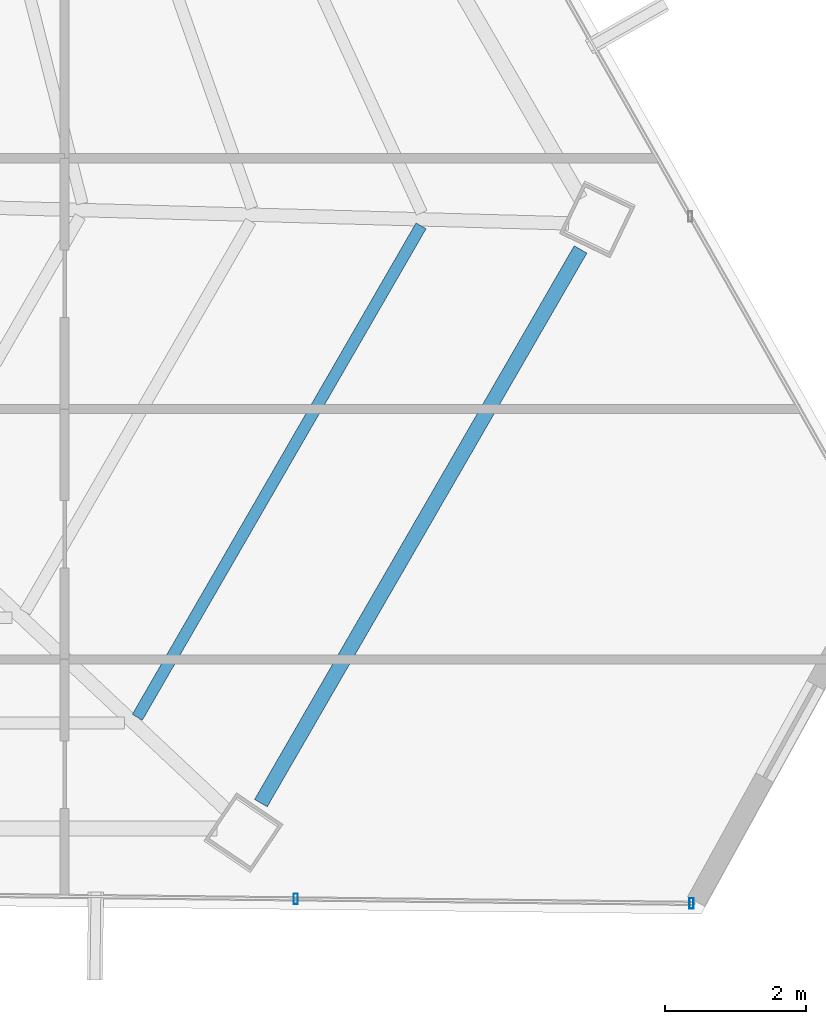
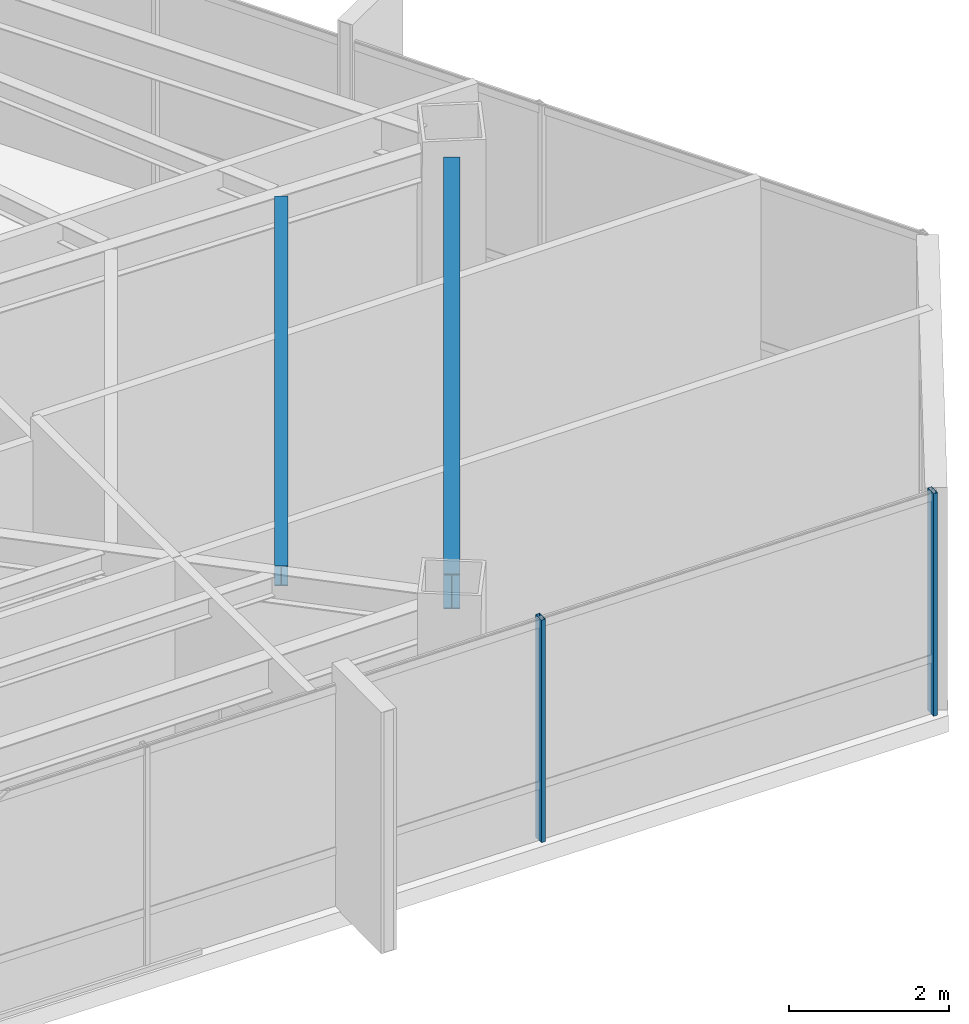
# One storey, part 20 of 42: 2 beams, 2 members, 1 element without a shape of its own.
"""IFC4 building model written with IfcOpenShell, lengths in metres."""

from ifc_helpers import new_model, si_unit, direction, frame, origin, origin_2d, place, context, subcontext, project, spatial, hollow_rectangle, i_section, extrude, source, transform, mapped, material, material_profile, profile_set, type_object, type_shapes, element, aggregate, save


model = new_model("IFC4")

# Units and contexts
model_context = context("Model", 3, precision=1e-05, world=origin(), true_north=direction((0.0, 1.0)))
body_context = subcontext(model_context, "Body", "Model", "MODEL_VIEW")
ifc_project = project(units=[si_unit("LENGTHUNIT", "METRE"), si_unit("AREAUNIT", "SQUARE_METRE"), si_unit("VOLUMEUNIT", "CUBIC_METRE"), si_unit("PLANEANGLEUNIT", "RADIAN"), si_unit("MASSUNIT", "GRAM", prefix="KILO")], contexts=[model_context])

# Site, building, storey
site_placement = place(None, origin())
site = spatial("IfcSite", under=ifc_project, at=site_placement, CompositionType="ELEMENT")
building_placement = place(site_placement, origin())
building = spatial("IfcBuilding", under=site, at=building_placement, Name="Caelisora Broadcast Tower", CompositionType="ELEMENT")
storey_placement = place(building_placement, frame((0.0, 0.0, 205.949951171875)))
storey = spatial("IfcBuildingStorey", under=building, at=storey_placement, Name="L54", CompositionType="ELEMENT", Elevation=205.949951171875)

# Beams
ifc_material_1 = material(Name="Steel Grade 350 (AS/NZS 3679.1)", Category="steel")
ifc_material_profile_1 = material_profile(ifc_material_1, i_section(OverallWidth=0.208984375, OverallDepth=0.532958984375, WebThickness=0.01025390625, FlangeThickness=0.015625, at=origin_2d()), Name="Steel Grade 350 (AS/NZS 3679.1)")
ifc_profile_set_1 = profile_set([ifc_material_profile_1], Name="Steel Grade 350 (AS/NZS 3679.1)")
beam_type_1 = type_object("IfcBeamType", Name="PG05", PredefinedType="BEAM", material=ifc_profile_set_1)
shared_shape_1 = source(origin(), body_context, "Body", "SweptSolid", [
    extrude(i_section(OverallWidth=0.208984375, OverallDepth=0.532958984375, WebThickness=0.01025390625, FlangeThickness=0.015625, at=origin_2d()), origin(), (0.0, 0.0, 1.0), 9.095947265625),
])
type_shapes(beam_type_1, [shared_shape_1])
beam_1_placement = place(storey_placement, frame((55.29150390625, 8.76513671875, 3.133544921875), z_axis=(0.500015974805, 0.86601618053, 0.0), x_axis=(-0.86601618053, 0.500015974805, 0.0)))
element("IfcBeam", 1, at=beam_1_placement, inside=storey, type_object=beam_type_1, Name="L54 beam PG05", PredefinedType="BEAM", context=body_context, shape_type="MappedRepresentation", body=[
    mapped(shared_shape_1, transform((0.0, 0.0, 0.0), scale=1.0)),
])
ifc_material_profile_2 = material_profile(ifc_material_1, i_section(OverallWidth=0.166015625, OverallDepth=0.30712890625, WebThickness=0.006591796875, FlangeThickness=0.01171875, at=origin_2d()), Name="Steel Grade 350 (AS/NZS 3679.1)")
ifc_profile_set_2 = profile_set([ifc_material_profile_2], Name="Steel Grade 350 (AS/NZS 3679.1)")
beam_type_2 = type_object("IfcBeamType", Name="SB03", PredefinedType="JOIST", material=ifc_profile_set_2)
shared_shape_2 = source(origin(), body_context, "Body", "SweptSolid", [
    extrude(i_section(OverallWidth=0.166015625, OverallDepth=0.30712890625, WebThickness=0.006591796875, FlangeThickness=0.01171875, at=origin_2d()), origin(), (0.0, 0.0, 1.0), 8.07275390625),
])
type_shapes(beam_type_2, [shared_shape_2])
beam_2_placement = place(storey_placement, frame((53.53369140625, 9.986328125, 3.246337890625), z_axis=(0.499999947638, 0.866025434015, 0.0), x_axis=(-0.866025434015, 0.499999947638, 0.0)))
element("IfcBeam", 2, at=beam_2_placement, inside=storey, type_object=beam_type_2, Name="L54 beam SB03", PredefinedType="JOIST", context=body_context, shape_type="MappedRepresentation", body=[
    mapped(shared_shape_2, transform((0.0, 0.0, 0.0), scale=1.0)),
])

# Curtain wall, members
ifc_material_2 = material(Name="Unitised Aluminium and Low-E Glass Curtain Wall", Category="glass")
curtain_wall_type = type_object("IfcCurtainWallType", Name="CW-Z4", PredefinedType="NOTDEFINED", material=ifc_material_2)
curtain_wall_placement = place(storey_placement, origin())
curtain_wall = element("IfcCurtainWall", 3, at=curtain_wall_placement, inside=storey, type_object=curtain_wall_type, Name="L54 curtain wall CW-Z4", PredefinedType="NOTDEFINED")
ifc_material_3 = material(Name="Aluminium 6063-T6 Anodised Terracotta Bronze", Category="aluminium")
ifc_material_profile_3 = material_profile(ifc_material_3, hollow_rectangle(XDim=0.06005859375, YDim=0.14990234375, WallThickness=0.00341796875, at=origin_2d()), Name="Aluminium 6063-T6 Anodised Terracotta Bronze")
ifc_profile_set_3 = profile_set([ifc_material_profile_3], Name="Aluminium 6063-T6 Anodised Terracotta Bronze")
member_type = type_object("IfcMemberType", Name="CWM-03", PredefinedType="MULLION", material=ifc_profile_set_3)
shared_shape_3 = source(origin(), body_context, "Body", "SweptSolid", [
    extrude(hollow_rectangle(XDim=0.06005859375, YDim=0.14990234375, WallThickness=0.00341796875, at=origin_2d()), origin(), (0.0, 0.0, 1.0), 3.400146484375),
])
type_shapes(member_type, [shared_shape_3])
member_1_placement = place(storey_placement, frame((61.4189453125, 7.338623046875, 0.0), z_axis=(0.0, 0.0, 1.0), x_axis=(1.0, 0.0, 0.0)))
member_1 = element("IfcMember", 4, at=member_1_placement, type_object=member_type, Name="L54-CW-B05 mullion #0", PredefinedType="MULLION", context=body_context, shape_type="MappedRepresentation", body=[
    mapped(shared_shape_3, transform((0.0, 0.0, 0.0), scale=1.0)),
])
member_2_placement = place(storey_placement, frame((55.787353515625, 7.402587890625, 0.0), z_axis=(0.0, 0.0, 1.0), x_axis=(1.0, 0.0, 0.0)))
member_2 = element("IfcMember", 5, at=member_2_placement, type_object=member_type, Name="L54-CW-B05 mullion #1", PredefinedType="MULLION", context=body_context, shape_type="MappedRepresentation", body=[
    mapped(shared_shape_3, transform((0.0, 0.0, 0.0), scale=1.0)),
])
aggregate(curtain_wall, [member_1, member_2])

save(model, "model.ifc")
